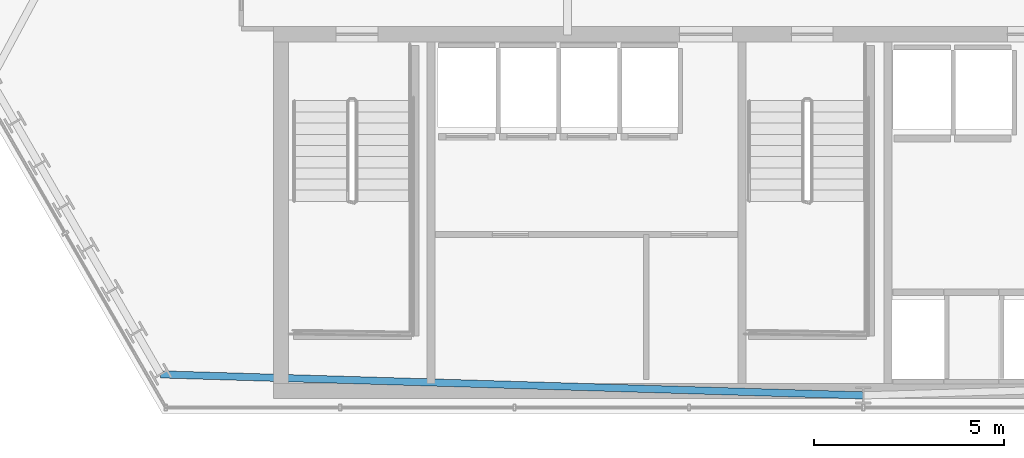
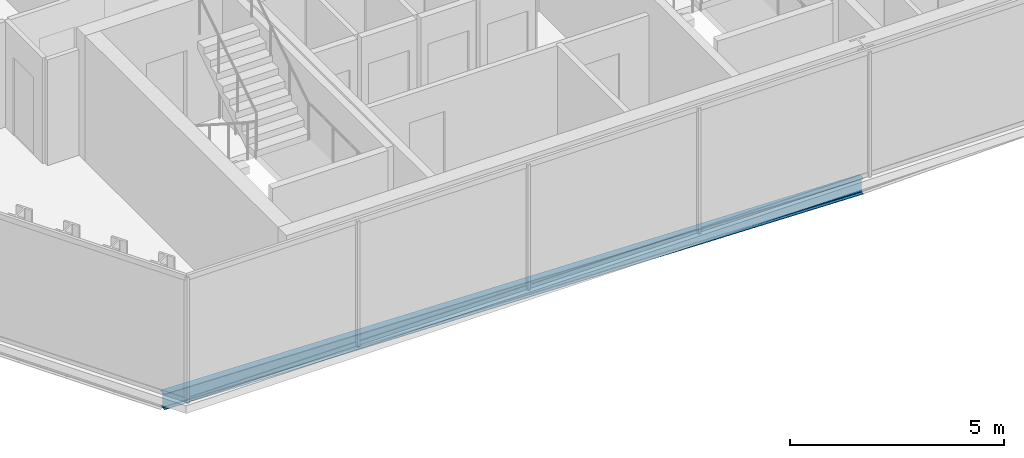
# One storey, part 3 of 33: 1 beam.
"""IFC4 building model written with IfcOpenShell, lengths in metres."""

from ifc_helpers import new_model, si_unit, direction, frame, origin, origin_2d, place, context, subcontext, project, spatial, i_section, extrude, material, material_profile, profile_set, type_object, element, save


model = new_model("IFC4")

# Units and contexts
model_context = context("Model", 3, precision=1e-05, world=origin(), true_north=direction((0.0, 1.0)))
body_context = subcontext(model_context, "Body", "Model", "MODEL_VIEW")
ifc_project = project(units=[si_unit("LENGTHUNIT", "METRE"), si_unit("AREAUNIT", "SQUARE_METRE"), si_unit("VOLUMEUNIT", "CUBIC_METRE"), si_unit("PLANEANGLEUNIT", "RADIAN"), si_unit("MASSUNIT", "GRAM", prefix="KILO")], contexts=[model_context])

# Site, building, storey
site_placement = place(None, origin())
site = spatial("IfcSite", under=ifc_project, at=site_placement, CompositionType="ELEMENT")
building_placement = place(site_placement, origin())
building = spatial("IfcBuilding", under=site, at=building_placement, Name="Ndaravel Arena Tower", CompositionType="ELEMENT")
storey_placement = place(building_placement, frame((0.0, 0.0, 165.0)))
storey = spatial("IfcBuildingStorey", under=building, at=storey_placement, Name="L39", CompositionType="ELEMENT", Elevation=165.0)

# Beam
ifc_material = material(Name="Steel S355", Category="steel")
ifc_material_profile = material_profile(ifc_material, i_section(OverallWidth=0.18994140625, OverallDepth=0.449951171875, WebThickness=0.009521484375, FlangeThickness=0.0146484375, FilletRadius=0.02099609375, at=origin_2d()), Name="IPE 450")
ifc_profile_set = profile_set([ifc_material_profile], Name="Steel S355")
beam_type = type_object("IfcBeamType", Name="BM-SPAN-IPE450", PredefinedType="SPANDREL", material=ifc_profile_set)
beam_placement = place(storey_placement, frame((23.47412109375, 6.0341796875, -0.445068359375), z_axis=(0.999552850435, -0.029901491401, 0.0), x_axis=(0.029901491401, 0.999552850435, 0.0)))
element("IfcBeam", 1, at=beam_placement, inside=storey, type_object=beam_type, Name="L39 Perimeter Spandrel Beam SP-27", PredefinedType="SPANDREL", context=body_context, shape_type="SweptSolid", body=[
    extrude(i_section(OverallWidth=0.18994140625, OverallDepth=0.449951171875, WebThickness=0.009521484375, FlangeThickness=0.0146484375, FilletRadius=0.02099609375, at=origin_2d()), origin(), (0.0, 0.0, 1.0), 18.5341796875),
])

save(model, "model.ifc")
